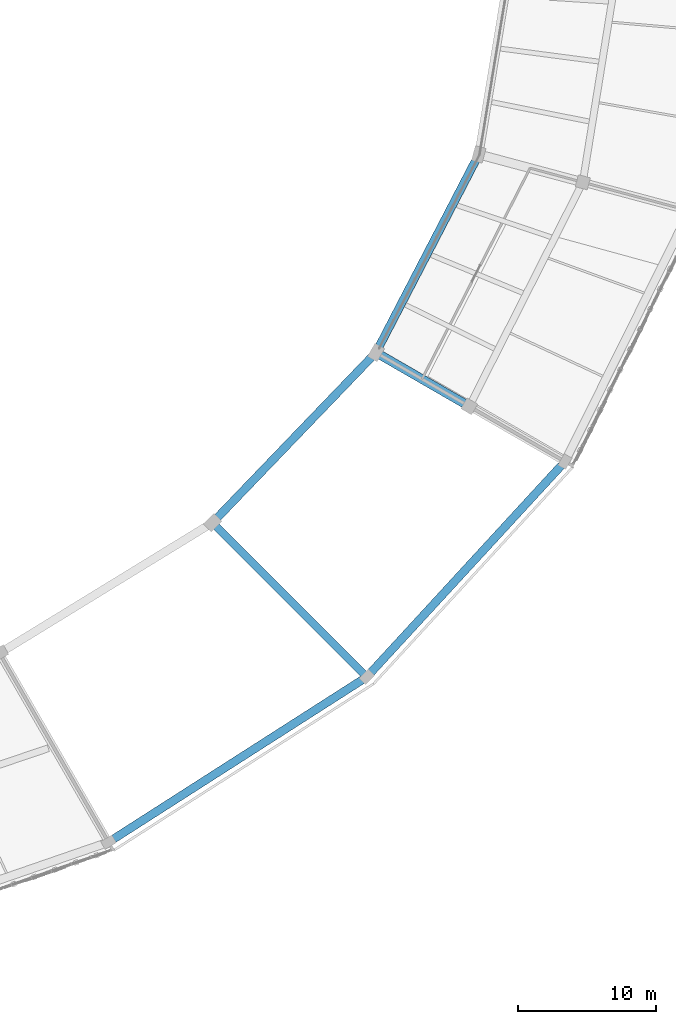
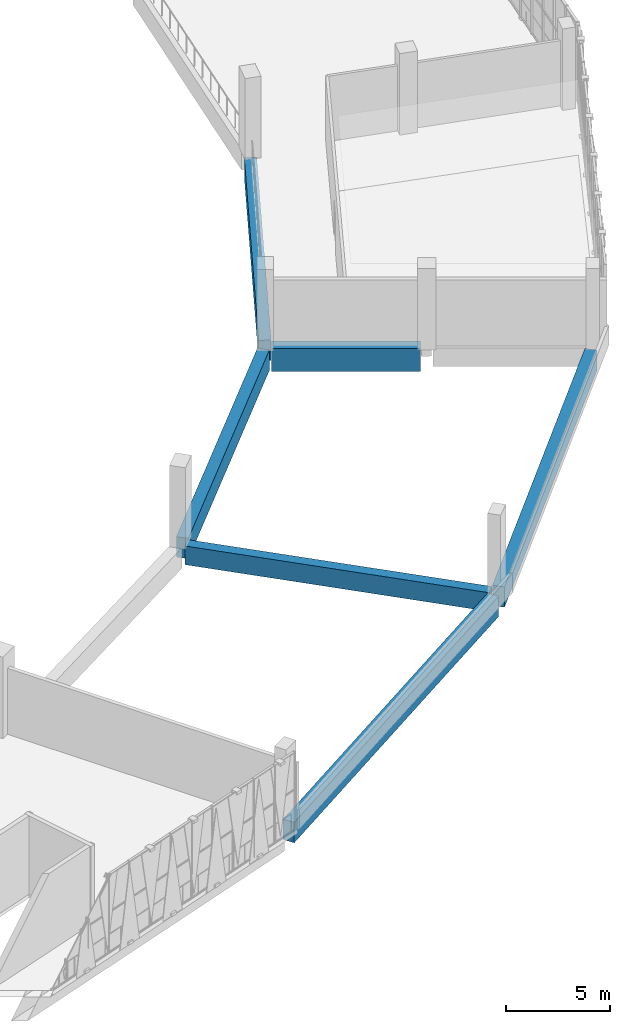
# One storey, part 17 of 64: 6 beams.
"""IFC4 building model written with IfcOpenShell, lengths in metres."""

from ifc_helpers import new_model, si_unit, direction, frame, origin, origin_2d, place, context, subcontext, project, spatial, rectangle, extrude, material, material_profile, profile_set, type_object, element, save


model = new_model("IFC4")

# Units and contexts
model_context = context("Model", 3, precision=1e-05, world=origin(), true_north=direction((0.0, 1.0)))
body_context = subcontext(model_context, "Body", "Model", "MODEL_VIEW")
ifc_project = project(units=[si_unit("LENGTHUNIT", "METRE"), si_unit("AREAUNIT", "SQUARE_METRE"), si_unit("VOLUMEUNIT", "CUBIC_METRE"), si_unit("PLANEANGLEUNIT", "RADIAN"), si_unit("MASSUNIT", "GRAM", prefix="KILO")], contexts=[model_context])

# Site, building, storey
site_placement = place(None, origin())
site = spatial("IfcSite", under=ifc_project, at=site_placement, CompositionType="ELEMENT")
building_placement = place(site_placement, origin())
building = spatial("IfcBuilding", under=site, at=building_placement, Name="Zevraka Park Crest Stadium", CompositionType="ELEMENT")
storey_placement = place(building_placement, frame((0.0, 0.0, 24.60009765625)))
storey = spatial("IfcBuildingStorey", under=building, at=storey_placement, Name="L05", CompositionType="ELEMENT", Elevation=24.60009765625)

# Beams
ifc_material_1 = material(Name="Concrete C40/50", Category="concrete")
ifc_material_profile_1 = material_profile(ifc_material_1, rectangle(XDim=0.64990234375, YDim=1.35009765625, at=origin_2d()), Name="RC 1350x650")
ifc_profile_set_1 = profile_set([ifc_material_profile_1], Name="Concrete C40/50")
beam_type_1 = type_object("IfcBeamType", Name="BG01", PredefinedType="BEAM", material=ifc_profile_set_1)
beam_1_placement = place(storey_placement, frame((176.779052734375, 62.10009765625, -0.68505859375), z_axis=(0.866001485781, -0.500041424909, 0.0), x_axis=(0.500041424909, 0.866001485781, 0.0)))
element("IfcBeam", 1, at=beam_1_placement, inside=storey, type_object=beam_type_1, Name="Radial Girder BG01 L05-BC-22", PredefinedType="BEAM", context=body_context, shape_type="SweptSolid", body=[
    extrude(rectangle(XDim=0.64990234375, YDim=1.35009765625, at=origin_2d()), origin(), (0.0, 0.0, 1.0), 7.19970703125),
])
ifc_material_2 = material(Name="Concrete C40/50", Category="concrete")
ifc_material_profile_2 = material_profile(ifc_material_2, rectangle(XDim=0.550048828125, YDim=1.10009765625, at=origin_2d()), Name="RC 1100x550")
ifc_profile_set_2 = profile_set([ifc_material_profile_2], Name="Concrete C40/50")
beam_type_2 = type_object("IfcBeamType", Name="BG02", PredefinedType="BEAM", material=ifc_profile_set_2)
beam_2_placement = place(storey_placement, frame((164.89111328125, 49.715087890625, -0.56005859375), z_axis=(0.707130872727, -0.707082688826, 0.0), x_axis=(0.707082688826, 0.707130872727, 0.0)))
element("IfcBeam", 2, at=beam_2_placement, inside=storey, type_object=beam_type_2, Name="Radial Girder BG02 L05-BD-21", PredefinedType="BEAM", context=body_context, shape_type="SweptSolid", body=[
    extrude(rectangle(XDim=0.550048828125, YDim=1.10009765625, at=origin_2d()), origin(), (0.0, 0.0, 1.0), 15.200439453125),
])
ifc_material_3 = material(Name="Concrete C40/50", Category="concrete")
ifc_material_profile_3 = material_profile(ifc_material_3, rectangle(XDim=0.60009765625, YDim=1.199951171875, at=origin_2d()), Name="RC 1200x600")
ifc_profile_set_3 = profile_set([ifc_material_profile_3], Name="Concrete C40/50")
beam_type_3 = type_object("IfcBeamType", Name="RB01", PredefinedType="BEAM", material=ifc_profile_set_3)
beam_3_placement = place(storey_placement, frame((157.469970703125, 26.992919921875, -0.610107421875), z_axis=(0.842325571453, 0.538969045193, 0.0), x_axis=(-0.538969045193, 0.842325571453, 0.0)))
element("IfcBeam", 3, at=beam_3_placement, inside=storey, type_object=beam_type_3, Name="Ring Beam RB01 L05-D-20", PredefinedType="BEAM", context=body_context, shape_type="SweptSolid", body=[
    extrude(rectangle(XDim=0.60009765625, YDim=1.199951171875, at=origin_2d()), origin(), (0.0, 0.0, 1.0), 21.443115234375),
])
beam_4_placement = place(storey_placement, frame((164.94189453125, 50.200927734375, -0.610107421875), z_axis=(0.692852617328, 0.721079226342, 0.0), x_axis=(-0.721079226342, 0.692852617328, 0.0)))
element("IfcBeam", 4, at=beam_4_placement, inside=storey, type_object=beam_type_3, Name="Ring Beam RB01 L05-B-21", PredefinedType="BEAM", context=body_context, shape_type="SweptSolid", body=[
    extrude(rectangle(XDim=0.60009765625, YDim=1.199951171875, at=origin_2d()), origin(), (0.0, 0.0, 1.0), 16.329833984375),
])
beam_5_placement = place(storey_placement, frame((176.10888671875, 39.034912109375, -0.610107421875), z_axis=(0.677158252403, 0.735837414924, 0.0), x_axis=(-0.735837414924, 0.677158252403, 0.0)))
element("IfcBeam", 5, at=beam_5_placement, inside=storey, type_object=beam_type_3, Name="Ring Beam RB01 L05-D-21", PredefinedType="BEAM", context=body_context, shape_type="SweptSolid", body=[
    extrude(rectangle(XDim=0.60009765625, YDim=1.199951171875, at=origin_2d()), origin(), (0.0, 0.0, 1.0), 20.4326171875),
])
beam_6_placement = place(storey_placement, frame((176.694091796875, 62.5869140625, -0.610107421875), z_axis=(0.460343993973, 0.887740619333, 0.0), x_axis=(-0.887740619333, 0.460343993973, 0.0)))
element("IfcBeam", 6, at=beam_6_placement, inside=storey, type_object=beam_type_3, Name="Ring Beam RB01 L05-B-22", PredefinedType="BEAM", context=body_context, shape_type="SweptSolid", body=[
    extrude(rectangle(XDim=0.60009765625, YDim=1.199951171875, at=origin_2d()), origin(), (0.0, 0.0, 1.0), 15.405517578125),
])

save(model, "model.ifc")
